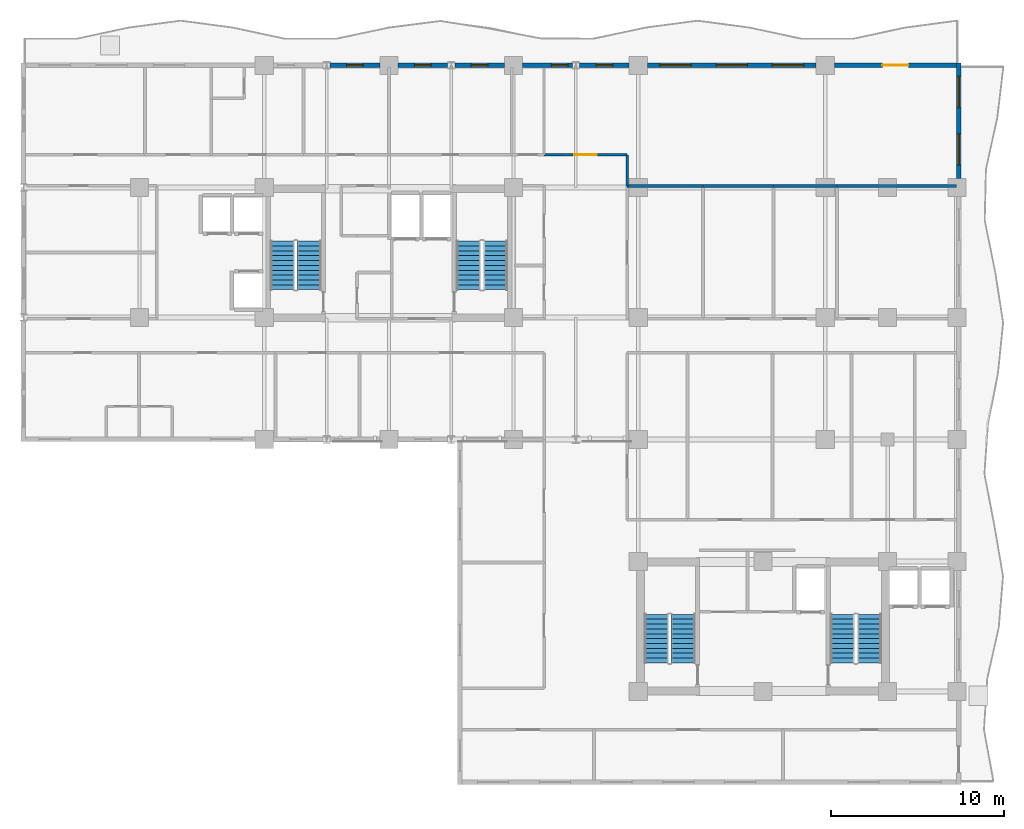
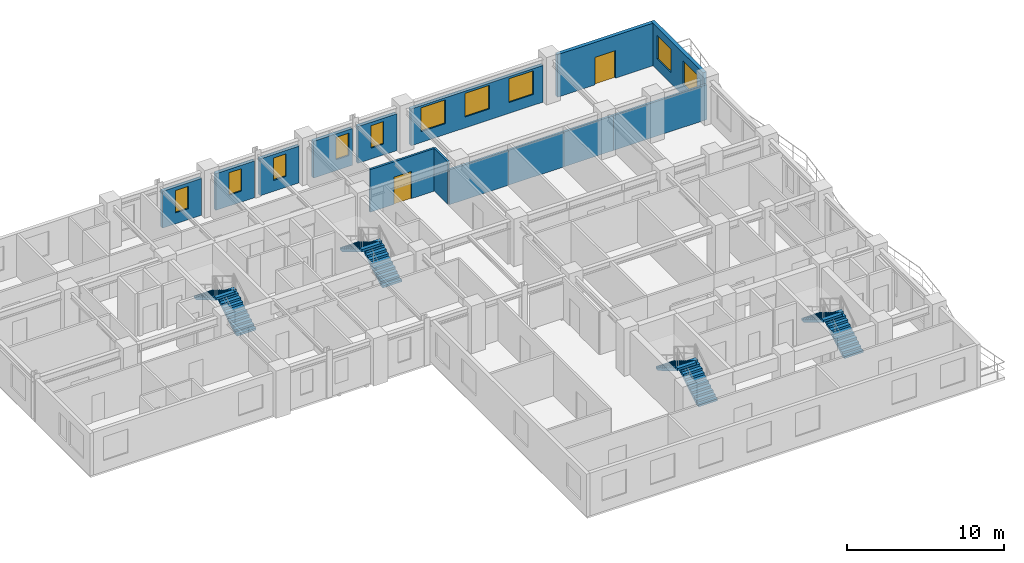
# One storey, part 9 of 13: 14 walls, 10 windows, 8 stair flights, 2 doors, 12 openings, 4 elements without a shape of their own.
"""IFC4 building model written with IfcOpenShell, lengths in metres."""

from ifc_helpers import new_model, si_unit, direction, frame, frame_2d, origin, place, context, subcontext, project, spatial, polyline, rectangle, outline, extrude, material, layer, layer_set, type_object, element, fill, aggregate, save


model = new_model("IFC4")

# Units and contexts
model_context = context("Model", 3, precision=1e-05, world=origin(), true_north=direction((0.0, 1.0)))
body_context = subcontext(model_context, "Body", "Model", "MODEL_VIEW")
ifc_project = project(units=[si_unit("LENGTHUNIT", "METRE"), si_unit("AREAUNIT", "SQUARE_METRE"), si_unit("VOLUMEUNIT", "CUBIC_METRE"), si_unit("PLANEANGLEUNIT", "RADIAN"), si_unit("MASSUNIT", "GRAM", prefix="KILO")], contexts=[model_context])

# Site, building, storey
site_placement = place(None, origin())
site = spatial("IfcSite", under=ifc_project, at=site_placement, CompositionType="ELEMENT")
building_placement = place(site_placement, origin())
building = spatial("IfcBuilding", under=site, at=building_placement, Name="Kaliganga Portal Commons", CompositionType="ELEMENT")
storey_placement = place(building_placement, frame((0.0, 0.0, 188.300048828125)))
storey = spatial("IfcBuildingStorey", under=building, at=storey_placement, Name="L48", CompositionType="ELEMENT", Elevation=188.300048828125)

# Wall, openings, windows
ifc_material_1 = material(Name="Insulated Aluminium-Clad Spandrel Assembly", Category="aluminium")
ifc_layer_1 = layer(ifc_material_1, 0.260009765625)
ifc_layer_set_1 = layer_set([ifc_layer_1], Name="Insulated Aluminium-Clad Spandrel Assembly")
wall_type_1 = type_object("IfcWallType", Name="WL-EXT-SPAND-260", PredefinedType="STANDARD", material=ifc_layer_set_1)
wall_1_placement = place(storey_placement, frame((54.5, 43.330078125, 0.0), z_axis=(0.0, 0.0, 1.0), x_axis=(0.0, -1.0, 0.0)))
wall_1 = element("IfcWall", 1, at=wall_1_placement, inside=storey, type_object=wall_type_1, Name="Exterior Envelope Wall L48 P1-E01-S6", PredefinedType="STANDARD", context=body_context, shape_type="SweptSolid", body=[
    extrude(rectangle(XDim=6.654052734375, YDim=0.260009765625, at=frame_2d((3.3271484375, 0.0))), origin(), (0.0, 0.0, 1.0), 3.320068359375),
])
opening_1_placement = place(wall_1_placement, frame((0.763427734375, 0.0, 0.85009765625)))
opening_1 = element("IfcOpeningElement", 2, at=opening_1_placement, cuts=wall_1, Name="Opening W-01", PredefinedType="OPENING", context=body_context, shape_type="SweptSolid", body=[
    extrude(rectangle(XDim=1.800048828125, YDim=1.85009765625, at=frame_2d((0.89990234375, 0.925048828125))), frame((0.0, 0.14013671875, 0.0), z_axis=(0.0, -1.0, 0.0), x_axis=(1.0, 0.0, 0.0)), (0.0, 0.0, 1.0), 0.280029296875),
])
opening_2_placement = place(wall_1_placement, frame((4.090576171875, 0.0, 0.85009765625)))
opening_2 = element("IfcOpeningElement", 3, at=opening_2_placement, cuts=wall_1, Name="Opening W-01", PredefinedType="OPENING", context=body_context, shape_type="SweptSolid", body=[
    extrude(rectangle(XDim=1.800048828125, YDim=1.85009765625, at=frame_2d((0.89990234375, 0.925048828125))), frame((0.0, 0.14013671875, 0.0), z_axis=(0.0, -1.0, 0.0), x_axis=(1.0, 0.0, 0.0)), (0.0, 0.0, 1.0), 0.280029296875),
])
ifc_material_2 = material(Name="Thermally Broken Aluminium and Low-E Double Glazing", Category="aluminium")
window_type_1 = type_object("IfcWindowType", Name="WIN-STD-1800", PartitioningType="DOUBLE_PANEL_VERTICAL", PredefinedType="WINDOW", material=ifc_material_2)
window_1_placement = place(opening_1_placement, origin())
window_1 = element("IfcWindow", 4, at=window_1_placement, inside=storey, type_object=window_type_1, Name="Facade Window L48-P1E01S6-00", OverallHeight=1.85009765625, OverallWidth=1.800048828125, PartitioningType="SINGLE_PANEL", PredefinedType="WINDOW", context=body_context, shape_type="SweptSolid", body=[
    extrude(rectangle(XDim=1.800048828125, YDim=1.85009765625, at=frame_2d((0.89990234375, 0.925048828125))), frame((0.0, 0.030029296875, 0.0), z_axis=(0.0, -1.0, 0.0), x_axis=(1.0, 0.0, 0.0)), (0.0, 0.0, 1.0), 0.06005859375),
])
fill(opening_1, window_1)
window_2_placement = place(opening_2_placement, origin())
window_2 = element("IfcWindow", 5, at=window_2_placement, inside=storey, type_object=window_type_1, Name="Facade Window L48-P1E01S6-01", OverallHeight=1.85009765625, OverallWidth=1.800048828125, PartitioningType="SINGLE_PANEL", PredefinedType="WINDOW", context=body_context, shape_type="SweptSolid", body=[
    extrude(rectangle(XDim=1.800048828125, YDim=1.85009765625, at=frame_2d((0.89990234375, 0.925048828125))), frame((0.0, 0.030029296875, 0.0), z_axis=(0.0, -1.0, 0.0), x_axis=(1.0, 0.0, 0.0)), (0.0, 0.0, 1.0), 0.06005859375),
])
fill(opening_2, window_2)

# Wall, opening, door
wall_2_placement = place(storey_placement, frame((47.325927734375, 43.199951171875, 0.0), z_axis=(0.0, 0.0, 1.0), x_axis=(1.0, 0.0, 0.0)))
wall_2 = element("IfcWall", 6, at=wall_2_placement, inside=storey, type_object=wall_type_1, Name="Exterior Envelope Wall L48 P1-E02-S1", PredefinedType="STANDARD", context=body_context, shape_type="SweptSolid", body=[
    extrude(rectangle(XDim=7.0390625, YDim=0.260009765625, at=frame_2d((3.51953125, 0.0))), origin(), (0.0, 0.0, 1.0), 3.320068359375),
])
opening_3_placement = place(wall_2_placement, frame((2.77001953125, 0.0, 0.0)))
opening_3 = element("IfcOpeningElement", 7, at=opening_3_placement, cuts=wall_2, Name="Opening BD-01", PredefinedType="OPENING", context=body_context, shape_type="SweptSolid", body=[
    extrude(rectangle(XDim=1.5, YDim=2.14990234375, at=frame_2d((0.75, 1.074951171875))), frame((0.0, 0.14013671875, 0.0), z_axis=(0.0, -1.0, 0.0), x_axis=(1.0, 0.0, 0.0)), (0.0, 0.0, 1.0), 0.280029296875),
])
ifc_material_3 = material(Name="Anodized Aluminium and Laminated Safety Glass", Category="aluminium")
door_type_1 = type_object("IfcDoorType", Name="DR-BALC-1500", OperationType="SLIDING_TO_LEFT", PredefinedType="DOOR", material=ifc_material_3)
door_1_placement = place(opening_3_placement, origin())
door_1 = element("IfcDoor", 8, at=door_1_placement, inside=storey, type_object=door_type_1, Name="Balcony Sliding Door L48 balc_north", OperationType="SLIDING_TO_LEFT", OverallHeight=2.14990234375, OverallWidth=1.5, PredefinedType="DOOR", context=body_context, shape_type="SweptSolid", body=[
    extrude(rectangle(XDim=1.5, YDim=2.14990234375, at=frame_2d((0.75, 1.074951171875))), frame((0.0, 0.02490234375, 0.0), z_axis=(0.0, -1.0, 0.0), x_axis=(1.0, 0.0, 0.0)), (0.0, 0.0, 1.0), 0.050048828125),
])
fill(opening_3, door_1)

# Wall, openings, windows
wall_3_placement = place(storey_placement, frame((36.52587890625, 43.199951171875, 0.0), z_axis=(0.0, 0.0, 1.0), x_axis=(1.0, 0.0, 0.0)))
wall_3 = element("IfcWall", 9, at=wall_3_placement, inside=storey, type_object=wall_type_1, Name="Exterior Envelope Wall L48 P1-E02-S2", PredefinedType="STANDARD", context=body_context, shape_type="SweptSolid", body=[
    extrude(rectangle(XDim=9.748046875, YDim=0.260009765625, at=frame_2d((4.8740234375, 0.0))), origin(), (0.0, 0.0, 1.0), 2.869873046875),
])
opening_4_placement = place(wall_3_placement, frame((0.724609375, 0.0, 0.85009765625)))
opening_4 = element("IfcOpeningElement", 10, at=opening_4_placement, cuts=wall_3, Name="Opening W-01", PredefinedType="OPENING", context=body_context, shape_type="SweptSolid", body=[
    extrude(rectangle(XDim=1.800048828125, YDim=1.85009765625, at=frame_2d((0.89990234375, 0.925048828125))), frame((0.0, 0.14013671875, 0.0), z_axis=(0.0, -1.0, 0.0), x_axis=(1.0, 0.0, 0.0)), (0.0, 0.0, 1.0), 0.280029296875),
])
opening_5_placement = place(wall_3_placement, frame((3.97412109375, 0.0, 0.85009765625)))
opening_5 = element("IfcOpeningElement", 11, at=opening_5_placement, cuts=wall_3, Name="Opening W-01", PredefinedType="OPENING", context=body_context, shape_type="SweptSolid", body=[
    extrude(rectangle(XDim=1.800048828125, YDim=1.85009765625, at=frame_2d((0.89990234375, 0.925048828125))), frame((0.0, 0.14013671875, 0.0), z_axis=(0.0, -1.0, 0.0), x_axis=(1.0, 0.0, 0.0)), (0.0, 0.0, 1.0), 0.280029296875),
])
opening_6_placement = place(wall_3_placement, frame((7.223388671875, 0.0, 0.85009765625)))
opening_6 = element("IfcOpeningElement", 12, at=opening_6_placement, cuts=wall_3, Name="Opening W-01", PredefinedType="OPENING", context=body_context, shape_type="SweptSolid", body=[
    extrude(rectangle(XDim=1.800048828125, YDim=1.85009765625, at=frame_2d((0.89990234375, 0.925048828125))), frame((0.0, 0.14013671875, 0.0), z_axis=(0.0, -1.0, 0.0), x_axis=(1.0, 0.0, 0.0)), (0.0, 0.0, 1.0), 0.280029296875),
])
window_3_placement = place(opening_4_placement, origin())
window_3 = element("IfcWindow", 13, at=window_3_placement, inside=storey, type_object=window_type_1, Name="Facade Window L48-P1E02S2-00", OverallHeight=1.85009765625, OverallWidth=1.800048828125, PartitioningType="SINGLE_PANEL", PredefinedType="WINDOW", context=body_context, shape_type="SweptSolid", body=[
    extrude(rectangle(XDim=1.800048828125, YDim=1.85009765625, at=frame_2d((0.89990234375, 0.925048828125))), frame((0.0, 0.030029296875, 0.0), z_axis=(0.0, -1.0, 0.0), x_axis=(1.0, 0.0, 0.0)), (0.0, 0.0, 1.0), 0.06005859375),
])
fill(opening_4, window_3)
window_4_placement = place(opening_5_placement, origin())
window_4 = element("IfcWindow", 14, at=window_4_placement, inside=storey, type_object=window_type_1, Name="Facade Window L48-P1E02S2-01", OverallHeight=1.85009765625, OverallWidth=1.800048828125, PartitioningType="SINGLE_PANEL", PredefinedType="WINDOW", context=body_context, shape_type="SweptSolid", body=[
    extrude(rectangle(XDim=1.800048828125, YDim=1.85009765625, at=frame_2d((0.89990234375, 0.925048828125))), frame((0.0, 0.030029296875, 0.0), z_axis=(0.0, -1.0, 0.0), x_axis=(1.0, 0.0, 0.0)), (0.0, 0.0, 1.0), 0.06005859375),
])
fill(opening_5, window_4)
window_5_placement = place(opening_6_placement, origin())
window_5 = element("IfcWindow", 15, at=window_5_placement, inside=storey, type_object=window_type_1, Name="Facade Window L48-P1E02S2-02", OverallHeight=1.85009765625, OverallWidth=1.800048828125, PartitioningType="SINGLE_PANEL", PredefinedType="WINDOW", context=body_context, shape_type="SweptSolid", body=[
    extrude(rectangle(XDim=1.800048828125, YDim=1.85009765625, at=frame_2d((0.89990234375, 0.925048828125))), frame((0.0, 0.030029296875, 0.0), z_axis=(0.0, -1.0, 0.0), x_axis=(1.0, 0.0, 0.0)), (0.0, 0.0, 1.0), 0.06005859375),
])
fill(opening_6, window_5)

# Wall, opening, window
wall_4_placement = place(storey_placement, frame((32.60302734375, 43.199951171875, 0.0), z_axis=(0.0, 0.0, 1.0), x_axis=(1.0, 0.0, 0.0)))
wall_4 = element("IfcWall", 16, at=wall_4_placement, inside=storey, type_object=wall_type_1, Name="Exterior Envelope Wall L48 P1-E02-S3", PredefinedType="STANDARD", context=body_context, shape_type="SweptSolid", body=[
    extrude(rectangle(XDim=2.87109375, YDim=0.260009765625, at=frame_2d((1.435546875, 0.0))), origin(), (0.0, 0.0, 1.0), 2.869873046875),
])
opening_7_placement = place(wall_4_placement, frame((0.96044921875, 0.0, 0.85009765625)))
opening_7 = element("IfcOpeningElement", 17, at=opening_7_placement, cuts=wall_4, Name="Opening W-04", PredefinedType="OPENING", context=body_context, shape_type="SweptSolid", body=[
    extrude(rectangle(XDim=0.949951171875, YDim=1.75, at=frame_2d((0.47509765625, 0.875))), frame((0.0, 0.14013671875, 0.0), z_axis=(0.0, -1.0, 0.0), x_axis=(1.0, 0.0, 0.0)), (0.0, 0.0, 1.0), 0.280029296875),
])
window_type_2 = type_object("IfcWindowType", Name="WIN-NARROW-950", PartitioningType="SINGLE_PANEL", PredefinedType="WINDOW", material=ifc_material_2)
window_6_placement = place(opening_7_placement, origin())
window_6 = element("IfcWindow", 18, at=window_6_placement, inside=storey, type_object=window_type_2, Name="Facade Window L48-P1E02S3-00", OverallHeight=1.75, OverallWidth=0.949951171875, PartitioningType="SINGLE_PANEL", PredefinedType="WINDOW", context=body_context, shape_type="SweptSolid", body=[
    extrude(rectangle(XDim=0.949951171875, YDim=1.75, at=frame_2d((0.47509765625, 0.875))), frame((0.0, 0.030029296875, 0.0), z_axis=(0.0, -1.0, 0.0), x_axis=(1.0, 0.0, 0.0)), (0.0, 0.0, 1.0), 0.06005859375),
])
fill(opening_7, window_6)

wall_5_placement = place(storey_placement, frame((29.325927734375, 43.199951171875, 0.0), z_axis=(0.0, 0.0, 1.0), x_axis=(1.0, 0.0, 0.0)))
wall_5 = element("IfcWall", 19, at=wall_5_placement, inside=storey, type_object=wall_type_1, Name="Exterior Envelope Wall L48 P1-E02-S4", PredefinedType="STANDARD", context=body_context, shape_type="SweptSolid", body=[
    extrude(rectangle(XDim=2.87109375, YDim=0.260009765625, at=frame_2d((1.435546875, 0.0))), origin(), (0.0, 0.0, 1.0), 2.869873046875),
])
opening_8_placement = place(wall_5_placement, frame((1.672607421875, 0.0, 0.85009765625)))
opening_8 = element("IfcOpeningElement", 20, at=opening_8_placement, cuts=wall_5, Name="Opening W-04", PredefinedType="OPENING", context=body_context, shape_type="SweptSolid", body=[
    extrude(rectangle(XDim=0.949951171875, YDim=1.75, at=frame_2d((0.47509765625, 0.875))), frame((0.0, 0.14013671875, 0.0), z_axis=(0.0, -1.0, 0.0), x_axis=(1.0, 0.0, 0.0)), (0.0, 0.0, 1.0), 0.280029296875),
])
window_7_placement = place(opening_8_placement, origin())
window_7 = element("IfcWindow", 21, at=window_7_placement, inside=storey, type_object=window_type_2, Name="Facade Window L48-P1E02S4-N2", OverallHeight=1.75, OverallWidth=0.949951171875, PartitioningType="SINGLE_PANEL", PredefinedType="WINDOW", context=body_context, shape_type="SweptSolid", body=[
    extrude(rectangle(XDim=0.949951171875, YDim=1.75, at=frame_2d((0.47509765625, 0.875))), frame((0.0, 0.030029296875, 0.0), z_axis=(0.0, -1.0, 0.0), x_axis=(1.0, 0.0, 0.0)), (0.0, 0.0, 1.0), 0.06005859375),
])
fill(opening_8, window_7)

wall_6_placement = place(storey_placement, frame((25.403076171875, 43.199951171875, 0.0), z_axis=(0.0, 0.0, 1.0), x_axis=(1.0, 0.0, 0.0)))
wall_6 = element("IfcWall", 22, at=wall_6_placement, inside=storey, type_object=wall_type_1, Name="Exterior Envelope Wall L48 P1-E02-S5", PredefinedType="STANDARD", context=body_context, shape_type="SweptSolid", body=[
    extrude(rectangle(XDim=2.870849609375, YDim=0.260009765625, at=frame_2d((1.435546875, 0.0))), origin(), (0.0, 0.0, 1.0), 2.869873046875),
])
opening_9_placement = place(wall_6_placement, frame((0.96044921875, 0.0, 0.85009765625)))
opening_9 = element("IfcOpeningElement", 23, at=opening_9_placement, cuts=wall_6, Name="Opening W-04", PredefinedType="OPENING", context=body_context, shape_type="SweptSolid", body=[
    extrude(rectangle(XDim=0.949951171875, YDim=1.75, at=frame_2d((0.47509765625, 0.875))), frame((0.0, 0.14013671875, 0.0), z_axis=(0.0, -1.0, 0.0), x_axis=(1.0, 0.0, 0.0)), (0.0, 0.0, 1.0), 0.280029296875),
])
window_8_placement = place(opening_9_placement, origin())
window_8 = element("IfcWindow", 24, at=window_8_placement, inside=storey, type_object=window_type_2, Name="Facade Window L48-P1E02S5-00", OverallHeight=1.75, OverallWidth=0.949951171875, PartitioningType="SINGLE_PANEL", PredefinedType="WINDOW", context=body_context, shape_type="SweptSolid", body=[
    extrude(rectangle(XDim=0.949951171875, YDim=1.75, at=frame_2d((0.47509765625, 0.875))), frame((0.0, 0.030029296875, 0.0), z_axis=(0.0, -1.0, 0.0), x_axis=(1.0, 0.0, 0.0)), (0.0, 0.0, 1.0), 0.06005859375),
])
fill(opening_9, window_8)

wall_7_placement = place(storey_placement, frame((22.1259765625, 43.199951171875, 0.0), z_axis=(0.0, 0.0, 1.0), x_axis=(1.0, 0.0, 0.0)))
wall_7 = element("IfcWall", 25, at=wall_7_placement, inside=storey, type_object=wall_type_1, Name="Exterior Envelope Wall L48 P1-E02-S6", PredefinedType="STANDARD", context=body_context, shape_type="SweptSolid", body=[
    extrude(rectangle(XDim=2.87109375, YDim=0.260009765625, at=frame_2d((1.435546875, 0.0))), origin(), (0.0, 0.0, 1.0), 2.869873046875),
])
opening_10_placement = place(wall_7_placement, frame((0.96044921875, 0.0, 0.85009765625)))
opening_10 = element("IfcOpeningElement", 26, at=opening_10_placement, cuts=wall_7, Name="Opening W-04", PredefinedType="OPENING", context=body_context, shape_type="SweptSolid", body=[
    extrude(rectangle(XDim=0.949951171875, YDim=1.75, at=frame_2d((0.47509765625, 0.875))), frame((0.0, 0.14013671875, 0.0), z_axis=(0.0, -1.0, 0.0), x_axis=(1.0, 0.0, 0.0)), (0.0, 0.0, 1.0), 0.280029296875),
])
window_9_placement = place(opening_10_placement, origin())
window_9 = element("IfcWindow", 27, at=window_9_placement, inside=storey, type_object=window_type_2, Name="Facade Window L48-P1E02S6-00", OverallHeight=1.75, OverallWidth=0.949951171875, PartitioningType="SINGLE_PANEL", PredefinedType="WINDOW", context=body_context, shape_type="SweptSolid", body=[
    extrude(rectangle(XDim=0.949951171875, YDim=1.75, at=frame_2d((0.47509765625, 0.875))), frame((0.0, 0.030029296875, 0.0), z_axis=(0.0, -1.0, 0.0), x_axis=(1.0, 0.0, 0.0)), (0.0, 0.0, 1.0), 0.06005859375),
])
fill(opening_10, window_9)

wall_8_placement = place(storey_placement, frame((18.202880859375, 43.199951171875, 0.0), z_axis=(0.0, 0.0, 1.0), x_axis=(1.0, 0.0, 0.0)))
wall_8 = element("IfcWall", 28, at=wall_8_placement, inside=storey, type_object=wall_type_1, Name="Exterior Envelope Wall L48 P1-E02-S7", PredefinedType="STANDARD", context=body_context, shape_type="SweptSolid", body=[
    extrude(rectangle(XDim=2.87109375, YDim=0.260009765625, at=frame_2d((1.435546875, 0.0))), origin(), (0.0, 0.0, 1.0), 2.869873046875),
])
opening_11_placement = place(wall_8_placement, frame((0.96044921875, 0.0, 0.85009765625)))
opening_11 = element("IfcOpeningElement", 29, at=opening_11_placement, cuts=wall_8, Name="Opening W-04", PredefinedType="OPENING", context=body_context, shape_type="SweptSolid", body=[
    extrude(rectangle(XDim=0.949951171875, YDim=1.75, at=frame_2d((0.47509765625, 0.875))), frame((0.0, 0.14013671875, 0.0), z_axis=(0.0, -1.0, 0.0), x_axis=(1.0, 0.0, 0.0)), (0.0, 0.0, 1.0), 0.280029296875),
])
window_10_placement = place(opening_11_placement, origin())
window_10 = element("IfcWindow", 30, at=window_10_placement, inside=storey, type_object=window_type_2, Name="Facade Window L48-P1E02S7-00", OverallHeight=1.75, OverallWidth=0.949951171875, PartitioningType="SINGLE_PANEL", PredefinedType="WINDOW", context=body_context, shape_type="SweptSolid", body=[
    extrude(rectangle(XDim=0.949951171875, YDim=1.75, at=frame_2d((0.47509765625, 0.875))), frame((0.0, 0.030029296875, 0.0), z_axis=(0.0, -1.0, 0.0), x_axis=(1.0, 0.0, 0.0)), (0.0, 0.0, 1.0), 0.06005859375),
])
fill(opening_11, window_10)

# Wall, opening, door
ifc_material_4 = material(Name="Fire-Rated Gypsum Board on Steel Stud", Category="steel")
ifc_layer_2 = layer(ifc_material_4, 0.14990234375)
ifc_layer_set_2 = layer_set([ifc_layer_2], Name="Fire-Rated Gypsum Board on Steel Stud")
wall_type_2 = type_object("IfcWallType", Name="WL-PART-CORR-150", PredefinedType="PARTITIONING", material=ifc_layer_set_2)
wall_9_placement = place(storey_placement, frame((30.56005859375, 38.0400390625, 0.0), z_axis=(0.0, 0.0, 1.0), x_axis=(1.0, 0.0, 0.0)))
wall_9 = element("IfcWall", 31, at=wall_9_placement, inside=storey, type_object=wall_type_2, Name="Interior Partition L48-034", PredefinedType="PARTITIONING", context=body_context, shape_type="SweptSolid", body=[
    extrude(rectangle(XDim=4.800048828125, YDim=0.14990234375, at=frame_2d((2.39990234375, 0.0))), origin(), (0.0, 0.0, 1.0), 3.320068359375),
])
opening_12_placement = place(wall_9_placement, frame((1.75, 0.0, 0.0)))
opening_12 = element("IfcOpeningElement", 32, at=opening_12_placement, cuts=wall_9, Name="Opening RD-03", PredefinedType="OPENING", context=body_context, shape_type="SweptSolid", body=[
    extrude(rectangle(XDim=1.300048828125, YDim=2.1201171875, at=frame_2d((0.64990234375, 1.06005859375))), frame((0.0, 0.0849609375, 0.0), z_axis=(0.0, -1.0, 0.0), x_axis=(1.0, 0.0, 0.0)), (0.0, 0.0, 1.0), 0.169921875),
])
ifc_material_5 = material(Name="Glazed Timber Seminar Vision Door", Category="wood")
door_type_2 = type_object("IfcDoorType", Name="DR-STUDY-1300", OperationType="DOUBLE_DOOR_SINGLE_SWING", PredefinedType="DOOR", material=ifc_material_5)
door_2_placement = place(opening_12_placement, origin())
door_2 = element("IfcDoor", 33, at=door_2_placement, inside=storey, type_object=door_type_2, Name="Interior Door L48-ANE01", OperationType="DOUBLE_DOOR_SINGLE_SWING", OverallHeight=2.1201171875, OverallWidth=1.300048828125, PredefinedType="DOOR", context=body_context, shape_type="SweptSolid", body=[
    extrude(rectangle(XDim=1.300048828125, YDim=2.1201171875, at=frame_2d((0.64990234375, 1.06005859375))), frame((0.0, 0.02490234375, 0.0), z_axis=(0.0, -1.0, 0.0), x_axis=(1.0, 0.0, 0.0)), (0.0, 0.0, 1.0), 0.050048828125),
])
fill(opening_12, door_2)

# Walls
wall_10_placement = place(storey_placement, frame((35.360107421875, 36.239990234375, 0.0), z_axis=(0.0, 0.0, 1.0), x_axis=(0.0, 1.0, 0.0)))
element("IfcWall", 34, at=wall_10_placement, inside=storey, type_object=wall_type_2, Name="Interior Partition L48-063", PredefinedType="PARTITIONING", context=body_context, shape_type="SweptSolid", body=[
    extrude(rectangle(XDim=1.800048828125, YDim=0.14990234375, at=frame_2d((0.89990234375, 0.0))), origin(), (0.0, 0.0, 1.0), 3.320068359375),
])
ifc_material_6 = material(Name="Twin-Stud Acoustic Gypsum Partition", Category="gypsum")
ifc_layer_3 = layer(ifc_material_6, 0.1650390625)
ifc_layer_set_3 = layer_set([ifc_layer_3], Name="Twin-Stud Acoustic Gypsum Partition")
wall_type_3 = type_object("IfcWallType", Name="WL-PART-UNIT-165", PredefinedType="PARTITIONING", material=ifc_layer_set_3)
wall_11_placement = place(storey_placement, frame((47.47998046875, 36.239990234375, 0.0), z_axis=(0.0, 0.0, 1.0), x_axis=(1.0, 0.0, 0.0)))
element("IfcWall", 35, at=wall_11_placement, inside=storey, type_object=wall_type_3, Name="Interior Partition L48-075", PredefinedType="PARTITIONING", context=body_context, shape_type="SweptSolid", body=[
    extrude(rectangle(XDim=6.887939453125, YDim=0.1650390625, at=frame_2d((3.44384765625, 0.0))), origin(), (0.0, 0.0, 1.0), 2.719970703125),
])
wall_12_placement = place(storey_placement, frame((35.360107421875, 36.239990234375, 0.0), z_axis=(0.0, 0.0, 1.0), x_axis=(1.0, 0.0, 0.0)))
element("IfcWall", 36, at=wall_12_placement, inside=storey, type_object=wall_type_3, Name="Interior Partition L48-085", PredefinedType="PARTITIONING", context=body_context, shape_type="SweptSolid", body=[
    extrude(rectangle(XDim=4.3798828125, YDim=0.1650390625, at=frame_2d((2.18994140625, 0.0))), origin(), (0.0, 0.0, 1.0), 2.719970703125),
])
wall_13_placement = place(storey_placement, frame((39.739990234375, 36.239990234375, 0.0), z_axis=(0.0, 0.0, 1.0), x_axis=(1.0, 0.0, 0.0)))
element("IfcWall", 37, at=wall_13_placement, inside=storey, type_object=wall_type_3, Name="Interior Partition L48-086", PredefinedType="PARTITIONING", context=body_context, shape_type="SweptSolid", body=[
    extrude(rectangle(XDim=4.06005859375, YDim=0.1650390625, at=frame_2d((2.030029296875, 0.0))), origin(), (0.0, 0.0, 1.0), 2.719970703125),
])
wall_14_placement = place(storey_placement, frame((43.800048828125, 36.239990234375, 0.0), z_axis=(0.0, 0.0, 1.0), x_axis=(1.0, 0.0, 0.0)))
element("IfcWall", 38, at=wall_14_placement, inside=storey, type_object=wall_type_3, Name="Interior Partition L48-087", PredefinedType="PARTITIONING", context=body_context, shape_type="SweptSolid", body=[
    extrude(rectangle(XDim=3.679931640625, YDim=0.1650390625, at=frame_2d((1.83984375, 0.0))), origin(), (0.0, 0.0, 1.0), 2.719970703125),
])

# Stair, stair flights
ifc_material_7 = material(Name="Concrete C40/50", Category="concrete")
stair_type = type_object("IfcStairType", Name="ST-CORE-DOGLEG", PredefinedType="HALF_TURN_STAIR", material=ifc_material_7)
stair_1_placement = place(storey_placement, origin())
stair_1 = element("IfcStair", 39, at=stair_1_placement, inside=storey, type_object=stair_type, Name="L48 Protected Exit Stair ST-A1", PredefinedType="HALF_TURN_STAIR")
stair_flight_type = type_object("IfcStairFlightType", Name="STF-RC-1400", PredefinedType="STRAIGHT", material=ifc_material_7)
stair_flight_1_placement = place(storey_placement, frame((17.0, 30.25, 0.0), z_axis=(0.0, 0.0, 1.0), x_axis=(0.0, 1.0, 0.0)))
stair_flight_1 = element("IfcStairFlight", 40, at=stair_flight_1_placement, type_object=stair_flight_type, Name="ST-A1 flight 1", NumberOfRisers=11, NumberOfTreads=10, PredefinedType="STRAIGHT", RiserHeight=0.168181818, TreadLength=0.28, context=body_context, shape_type="SweptSolid", body=[
    extrude(outline(polyline([(0.0, 0.0), (0.0, 0.168212890625), (0.280029296875, 0.168212890625), (0.280029296875, 0.33642578125), (0.56005859375, 0.33642578125), (0.56005859375, 0.504638671875), (0.840087890625, 0.504638671875), (0.840087890625, 0.672607421875), (1.1201171875, 0.672607421875), (1.1201171875, 0.8408203125), (1.39990234375, 0.8408203125), (1.39990234375, 1.009033203125), (1.679931640625, 1.009033203125), (1.679931640625, 1.17724609375), (1.9599609375, 1.17724609375), (1.9599609375, 1.345458984375), (2.239990234375, 1.345458984375), (2.239990234375, 1.513671875), (2.52001953125, 1.513671875), (2.52001953125, 1.681884765625), (2.800048828125, 1.681884765625), (2.800048828125, 1.85009765625), (2.800048828125, 1.5068359375), (0.291015625, 0.0), (0.0, 0.0)])), frame((0.0, 0.699951171875, 0.0), z_axis=(0.0, -1.0, 0.0), x_axis=(1.0, 0.0, 0.0)), (0.0, 0.0, 1.0), 1.39990234375),
])
stair_flight_2_placement = place(storey_placement, frame((15.449951171875, 33.050048828125, 1.849853515625), z_axis=(0.0, 0.0, 1.0), x_axis=(0.0, -1.0, 0.0)))
stair_flight_2 = element("IfcStairFlight", 41, at=stair_flight_2_placement, type_object=stair_flight_type, Name="ST-A1 flight 2", NumberOfRisers=11, NumberOfTreads=10, PredefinedType="STRAIGHT", RiserHeight=0.168181818, TreadLength=0.28, context=body_context, shape_type="SweptSolid", body=[
    extrude(outline(polyline([(0.0, 0.0), (0.0, 0.168212890625), (0.280029296875, 0.168212890625), (0.280029296875, 0.33642578125), (0.56005859375, 0.33642578125), (0.56005859375, 0.504638671875), (0.840087890625, 0.504638671875), (0.840087890625, 0.672607421875), (1.1201171875, 0.672607421875), (1.1201171875, 0.8408203125), (1.39990234375, 0.8408203125), (1.39990234375, 1.009033203125), (1.679931640625, 1.009033203125), (1.679931640625, 1.17724609375), (1.9599609375, 1.17724609375), (1.9599609375, 1.345458984375), (2.239990234375, 1.345458984375), (2.239990234375, 1.513671875), (2.52001953125, 1.513671875), (2.52001953125, 1.681884765625), (2.800048828125, 1.681884765625), (2.800048828125, 1.85009765625), (2.800048828125, 1.5068359375), (0.291015625, 0.0), (0.0, 0.0)])), frame((0.0, 0.699951171875, 0.0), z_axis=(0.0, -1.0, 0.0), x_axis=(1.0, 0.0, 0.0)), (0.0, 0.0, 1.0), 1.39990234375),
])
aggregate(stair_1, [stair_flight_1, stair_flight_2])

stair_2_placement = place(storey_placement, origin())
stair_2 = element("IfcStair", 42, at=stair_2_placement, inside=storey, type_object=stair_type, Name="L48 Protected Exit Stair ST-A2", PredefinedType="HALF_TURN_STAIR")
stair_flight_3_placement = place(storey_placement, frame((27.75, 30.25, 0.0), z_axis=(0.0, 0.0, 1.0), x_axis=(0.0, 1.0, 0.0)))
stair_flight_3 = element("IfcStairFlight", 43, at=stair_flight_3_placement, type_object=stair_flight_type, Name="ST-A2 flight 1", NumberOfRisers=11, NumberOfTreads=10, PredefinedType="STRAIGHT", RiserHeight=0.168181818, TreadLength=0.28, context=body_context, shape_type="SweptSolid", body=[
    extrude(outline(polyline([(0.0, 0.0), (0.0, 0.168212890625), (0.280029296875, 0.168212890625), (0.280029296875, 0.33642578125), (0.56005859375, 0.33642578125), (0.56005859375, 0.504638671875), (0.840087890625, 0.504638671875), (0.840087890625, 0.672607421875), (1.1201171875, 0.672607421875), (1.1201171875, 0.8408203125), (1.39990234375, 0.8408203125), (1.39990234375, 1.009033203125), (1.679931640625, 1.009033203125), (1.679931640625, 1.17724609375), (1.9599609375, 1.17724609375), (1.9599609375, 1.345458984375), (2.239990234375, 1.345458984375), (2.239990234375, 1.513671875), (2.52001953125, 1.513671875), (2.52001953125, 1.681884765625), (2.800048828125, 1.681884765625), (2.800048828125, 1.85009765625), (2.800048828125, 1.5068359375), (0.291015625, 0.0), (0.0, 0.0)])), frame((0.0, 0.699951171875, 0.0), z_axis=(0.0, -1.0, 0.0), x_axis=(1.0, 0.0, 0.0)), (0.0, 0.0, 1.0), 1.39990234375),
])
stair_flight_4_placement = place(storey_placement, frame((26.199951171875, 33.050048828125, 1.849853515625), z_axis=(0.0, 0.0, 1.0), x_axis=(0.0, -1.0, 0.0)))
stair_flight_4 = element("IfcStairFlight", 44, at=stair_flight_4_placement, type_object=stair_flight_type, Name="ST-A2 flight 2", NumberOfRisers=11, NumberOfTreads=10, PredefinedType="STRAIGHT", RiserHeight=0.168181818, TreadLength=0.28, context=body_context, shape_type="SweptSolid", body=[
    extrude(outline(polyline([(0.0, 0.0), (0.0, 0.168212890625), (0.280029296875, 0.168212890625), (0.280029296875, 0.33642578125), (0.56005859375, 0.33642578125), (0.56005859375, 0.504638671875), (0.840087890625, 0.504638671875), (0.840087890625, 0.672607421875), (1.1201171875, 0.672607421875), (1.1201171875, 0.8408203125), (1.39990234375, 0.8408203125), (1.39990234375, 1.009033203125), (1.679931640625, 1.009033203125), (1.679931640625, 1.17724609375), (1.9599609375, 1.17724609375), (1.9599609375, 1.345458984375), (2.239990234375, 1.345458984375), (2.239990234375, 1.513671875), (2.52001953125, 1.513671875), (2.52001953125, 1.681884765625), (2.800048828125, 1.681884765625), (2.800048828125, 1.85009765625), (2.800048828125, 1.5068359375), (0.291015625, 0.0), (0.0, 0.0)])), frame((0.0, 0.699951171875, 0.0), z_axis=(0.0, -1.0, 0.0), x_axis=(1.0, 0.0, 0.0)), (0.0, 0.0, 1.0), 1.39990234375),
])
aggregate(stair_2, [stair_flight_3, stair_flight_4])

stair_3_placement = place(storey_placement, origin())
stair_3 = element("IfcStair", 45, at=stair_3_placement, inside=storey, type_object=stair_type, Name="L48 Protected Exit Stair ST-B1", PredefinedType="HALF_TURN_STAIR")
stair_flight_5_placement = place(storey_placement, frame((38.60009765625, 8.699951171875, 0.0), z_axis=(0.0, 0.0, 1.0), x_axis=(0.0, 1.0, 0.0)))
stair_flight_5 = element("IfcStairFlight", 46, at=stair_flight_5_placement, type_object=stair_flight_type, Name="ST-B1 flight 1", NumberOfRisers=11, NumberOfTreads=10, PredefinedType="STRAIGHT", RiserHeight=0.168181818, TreadLength=0.28, context=body_context, shape_type="SweptSolid", body=[
    extrude(outline(polyline([(0.0, 0.0), (0.0, 0.168212890625), (0.280029296875, 0.168212890625), (0.280029296875, 0.33642578125), (0.56005859375, 0.33642578125), (0.56005859375, 0.504638671875), (0.840087890625, 0.504638671875), (0.840087890625, 0.672607421875), (1.1201171875, 0.672607421875), (1.1201171875, 0.8408203125), (1.39990234375, 0.8408203125), (1.39990234375, 1.009033203125), (1.679931640625, 1.009033203125), (1.679931640625, 1.17724609375), (1.9599609375, 1.17724609375), (1.9599609375, 1.345458984375), (2.239990234375, 1.345458984375), (2.239990234375, 1.513671875), (2.52001953125, 1.513671875), (2.52001953125, 1.681884765625), (2.800048828125, 1.681884765625), (2.800048828125, 1.85009765625), (2.800048828125, 1.5068359375), (0.291015625, 0.0), (0.0, 0.0)])), frame((0.0, 0.699951171875, 0.0), z_axis=(0.0, -1.0, 0.0), x_axis=(1.0, 0.0, 0.0)), (0.0, 0.0, 1.0), 1.39990234375),
])
stair_flight_6_placement = place(storey_placement, frame((37.050048828125, 11.5, 1.849853515625), z_axis=(0.0, 0.0, 1.0), x_axis=(0.0, -1.0, 0.0)))
stair_flight_6 = element("IfcStairFlight", 47, at=stair_flight_6_placement, type_object=stair_flight_type, Name="ST-B1 flight 2", NumberOfRisers=11, NumberOfTreads=10, PredefinedType="STRAIGHT", RiserHeight=0.168181818, TreadLength=0.28, context=body_context, shape_type="SweptSolid", body=[
    extrude(outline(polyline([(0.0, 0.0), (0.0, 0.168212890625), (0.280029296875, 0.168212890625), (0.280029296875, 0.33642578125), (0.56005859375, 0.33642578125), (0.56005859375, 0.504638671875), (0.840087890625, 0.504638671875), (0.840087890625, 0.672607421875), (1.1201171875, 0.672607421875), (1.1201171875, 0.8408203125), (1.39990234375, 0.8408203125), (1.39990234375, 1.009033203125), (1.679931640625, 1.009033203125), (1.679931640625, 1.17724609375), (1.9599609375, 1.17724609375), (1.9599609375, 1.345458984375), (2.239990234375, 1.345458984375), (2.239990234375, 1.513671875), (2.52001953125, 1.513671875), (2.52001953125, 1.681884765625), (2.800048828125, 1.681884765625), (2.800048828125, 1.85009765625), (2.800048828125, 1.5068359375), (0.291015625, 0.0), (0.0, 0.0)])), frame((0.0, 0.699951171875, 0.0), z_axis=(0.0, -1.0, 0.0), x_axis=(1.0, 0.0, 0.0)), (0.0, 0.0, 1.0), 1.39990234375),
])
aggregate(stair_3, [stair_flight_5, stair_flight_6])

stair_4_placement = place(storey_placement, origin())
stair_4 = element("IfcStair", 48, at=stair_4_placement, inside=storey, type_object=stair_type, Name="L48 Protected Exit Stair ST-B2", PredefinedType="HALF_TURN_STAIR")
stair_flight_7_placement = place(storey_placement, frame((49.35009765625, 8.699951171875, 0.0), z_axis=(0.0, 0.0, 1.0), x_axis=(0.0, 1.0, 0.0)))
stair_flight_7 = element("IfcStairFlight", 49, at=stair_flight_7_placement, type_object=stair_flight_type, Name="ST-B2 flight 1", NumberOfRisers=11, NumberOfTreads=10, PredefinedType="STRAIGHT", RiserHeight=0.168181818, TreadLength=0.28, context=body_context, shape_type="SweptSolid", body=[
    extrude(outline(polyline([(0.0, 0.0), (0.0, 0.168212890625), (0.280029296875, 0.168212890625), (0.280029296875, 0.33642578125), (0.56005859375, 0.33642578125), (0.56005859375, 0.504638671875), (0.840087890625, 0.504638671875), (0.840087890625, 0.672607421875), (1.1201171875, 0.672607421875), (1.1201171875, 0.8408203125), (1.39990234375, 0.8408203125), (1.39990234375, 1.009033203125), (1.679931640625, 1.009033203125), (1.679931640625, 1.17724609375), (1.9599609375, 1.17724609375), (1.9599609375, 1.345458984375), (2.239990234375, 1.345458984375), (2.239990234375, 1.513671875), (2.52001953125, 1.513671875), (2.52001953125, 1.681884765625), (2.800048828125, 1.681884765625), (2.800048828125, 1.85009765625), (2.800048828125, 1.5068359375), (0.291015625, 0.0), (0.0, 0.0)])), frame((0.0, 0.699951171875, 0.0), z_axis=(0.0, -1.0, 0.0), x_axis=(1.0, 0.0, 0.0)), (0.0, 0.0, 1.0), 1.39990234375),
])
stair_flight_8_placement = place(storey_placement, frame((47.800048828125, 11.5, 1.849853515625), z_axis=(0.0, 0.0, 1.0), x_axis=(0.0, -1.0, 0.0)))
stair_flight_8 = element("IfcStairFlight", 50, at=stair_flight_8_placement, type_object=stair_flight_type, Name="ST-B2 flight 2", NumberOfRisers=11, NumberOfTreads=10, PredefinedType="STRAIGHT", RiserHeight=0.168181818, TreadLength=0.28, context=body_context, shape_type="SweptSolid", body=[
    extrude(outline(polyline([(0.0, 0.0), (0.0, 0.168212890625), (0.280029296875, 0.168212890625), (0.280029296875, 0.33642578125), (0.56005859375, 0.33642578125), (0.56005859375, 0.504638671875), (0.840087890625, 0.504638671875), (0.840087890625, 0.672607421875), (1.1201171875, 0.672607421875), (1.1201171875, 0.8408203125), (1.39990234375, 0.8408203125), (1.39990234375, 1.009033203125), (1.679931640625, 1.009033203125), (1.679931640625, 1.17724609375), (1.9599609375, 1.17724609375), (1.9599609375, 1.345458984375), (2.239990234375, 1.345458984375), (2.239990234375, 1.513671875), (2.52001953125, 1.513671875), (2.52001953125, 1.681884765625), (2.800048828125, 1.681884765625), (2.800048828125, 1.85009765625), (2.800048828125, 1.5068359375), (0.291015625, 0.0), (0.0, 0.0)])), frame((0.0, 0.699951171875, 0.0), z_axis=(0.0, -1.0, 0.0), x_axis=(1.0, 0.0, 0.0)), (0.0, 0.0, 1.0), 1.39990234375),
])
aggregate(stair_4, [stair_flight_7, stair_flight_8])

save(model, "model.ifc")
